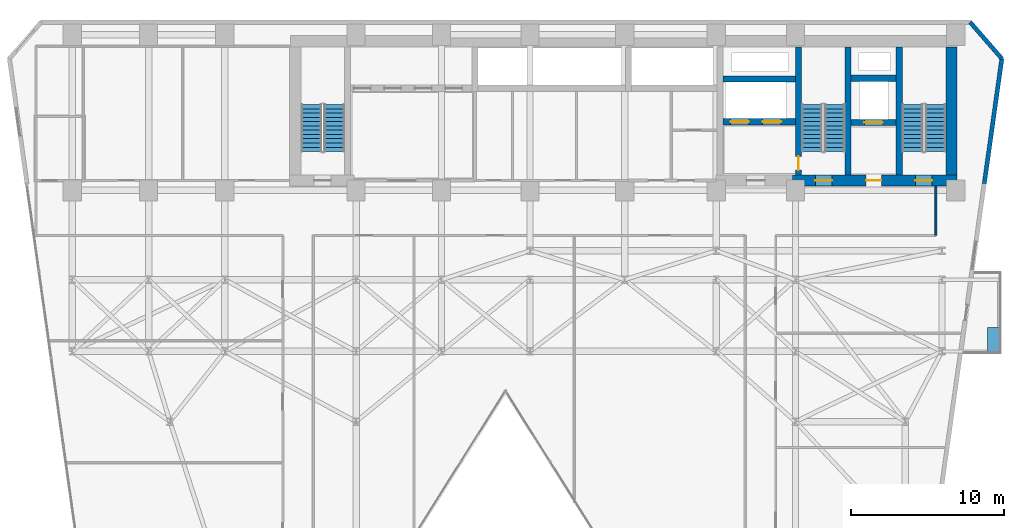
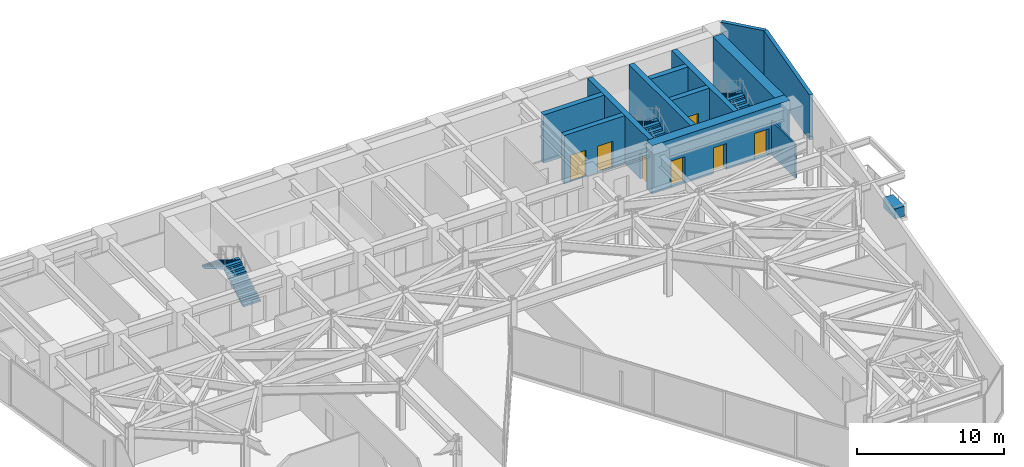
# One storey, part 21 of 24: 12 walls, 7 doors, 6 stair flights, 1 discrete accessory, 7 openings, 3 elements without a shape of their own.
"""IFC4 building model written with IfcOpenShell, lengths in metres."""

from ifc_helpers import new_model, si_unit, direction, frame, frame_2d, origin, origin_2d, place, context, subcontext, project, spatial, polyline, rectangle, outline, extrude, material, layer, layer_set, type_object, element, fill, aggregate, save


model = new_model("IFC4")

# Units and contexts
model_context = context("Model", 3, precision=1e-05, world=origin(), true_north=direction((0.0, 1.0)))
body_context = subcontext(model_context, "Body", "Model", "MODEL_VIEW")
ifc_project = project(units=[si_unit("LENGTHUNIT", "METRE"), si_unit("AREAUNIT", "SQUARE_METRE"), si_unit("VOLUMEUNIT", "CUBIC_METRE"), si_unit("PLANEANGLEUNIT", "RADIAN"), si_unit("MASSUNIT", "GRAM", prefix="KILO")], contexts=[model_context])

# Site, building, storey
site_placement = place(None, origin())
site = spatial("IfcSite", under=ifc_project, at=site_placement, CompositionType="ELEMENT")
building_placement = place(site_placement, origin())
building = spatial("IfcBuilding", under=site, at=building_placement, Name="Kravanh Interchange Tower", CompositionType="ELEMENT")
storey_placement = place(building_placement, frame((0.0, 0.0, 77.5)))
storey = spatial("IfcBuildingStorey", under=building, at=storey_placement, Name="L18", CompositionType="ELEMENT", Elevation=77.5)

# Walls
ifc_material_1 = material(Name="Double Acoustic Gypsum Board and Mineral Wool")
ifc_layer_1 = layer(ifc_material_1, 0.1201171875)
ifc_layer_set_1 = layer_set([ifc_layer_1], Name="Acoustic Office Drywall Partition 120mm")
wall_type_1 = type_object("IfcWallType", Name="Acoustic Office Drywall Partition 120mm", PredefinedType="PARTITIONING", material=ifc_layer_set_1)
wall_1_placement = place(storey_placement, frame((65.199951171875, 34.39990234375, 0.0), z_axis=(0.0, 0.0, 1.0), x_axis=(0.0, 1.0, 0.0)))
element("IfcWall", 1, at=wall_1_placement, inside=storey, type_object=wall_type_1, Name="L18 Interior Partition 19", PredefinedType="PARTITIONING", context=body_context, shape_type="SweptSolid", body=[
    extrude(rectangle(XDim=3.217041015625, YDim=0.1201171875, at=frame_2d((1.6083984375, 0.0))), origin(), (0.0, 0.0, 1.0), 2.81298828125),
])
ifc_material_2 = material(Name="Concrete C80/95", Category="concrete")
ifc_layer_2 = layer(ifc_material_2, 0.39990234375)
ifc_layer_set_2 = layer_set([ifc_layer_2], Name="Core Shear Wall Concrete C80/95 400mm")
wall_type_2 = type_object("IfcWallType", Name="Core Shear Wall Concrete C80/95 400mm", PredefinedType="SHEAR", material=ifc_layer_set_2)
for number, where, z_axis, x_axis, name in (
    (2, (62.800048828125, 38.375, 0.0), (0.0, 0.0, 1.0), (0.0, 1.0, 0.0), "L18 Stair ST1 West Shear Wall"),
    (3, (59.449951171875, 38.375, 0.0), (0.0, 0.0, 1.0), (0.0, 1.0, 0.0), "L18 Stair ST2 East Shear Wall"),
):
    element("IfcWall", number, at=place(storey_placement, frame(where, z_axis=z_axis, x_axis=x_axis)), inside=storey, type_object=wall_type_2, Name=name, PredefinedType="SHEAR", context=body_context, shape_type="SweptSolid", body=[
        extrude(rectangle(XDim=8.375, YDim=0.39990234375, at=frame_2d((4.1875, 0.0))), origin(), (0.0, 0.0, 1.0), 4.0),
    ])

# Wall, opening, door
wall_2_placement = place(storey_placement, frame((56.199951171875, 38.375, 0.0), z_axis=(0.0, 0.0, 1.0), x_axis=(0.0, 1.0, 0.0)))
wall_2 = element("IfcWall", 4, at=wall_2_placement, inside=storey, type_object=wall_type_2, Name="L18 Stair ST2 West Shear Wall", PredefinedType="SHEAR", context=body_context, shape_type="SweptSolid", body=[
    extrude(rectangle(XDim=8.375, YDim=0.39990234375, at=frame_2d((4.1875, 0.0))), origin(), (0.0, 0.0, 1.0), 4.0),
])
opening_1_placement = place(wall_2_placement, frame((0.304931640625, 0.0, 0.0)))
opening_1 = element("IfcOpeningElement", 5, at=opening_1_placement, cuts=wall_2, Name="Opening D-STAIR-90", PredefinedType="OPENING", context=body_context, shape_type="SweptSolid", body=[
    extrude(rectangle(XDim=0.89990234375, YDim=2.14990234375, at=frame_2d((0.449951171875, 1.074951171875))), frame((0.0, 0.2099609375, 0.0), z_axis=(0.0, -1.0, 0.0), x_axis=(1.0, 0.0, 0.0)), (0.0, 0.0, 1.0), 0.419921875),
])
ifc_material_3 = material(Name="Structural Steel S355", Category="steel")
door_type_1 = type_object("IfcDoorType", Name="Fire-Rated Stair Lobby Door 900x2150", OperationType="NOTDEFINED", PredefinedType="DOOR", material=ifc_material_3)
door_1_placement = place(opening_1_placement, origin())
door_1 = element("IfcDoor", 6, at=door_1_placement, inside=storey, type_object=door_type_1, Name="L18 Firefighting Lobby to Stair ST2 Door", OperationType="SINGLE_SWING_LEFT", OverallHeight=2.14990234375, OverallWidth=0.89990234375, PredefinedType="DOOR", context=body_context, shape_type="SweptSolid", body=[
    extrude(rectangle(XDim=0.89990234375, YDim=2.14990234375, at=frame_2d((0.449951171875, 1.074951171875))), frame((0.0, 0.02490234375, 0.0), z_axis=(0.0, -1.0, 0.0), x_axis=(1.0, 0.0, 0.0)), (0.0, 0.0, 1.0), 0.050048828125),
])
fill(opening_1, door_1)

wall_3_placement = place(storey_placement, frame((59.64990234375, 41.800048828125, 0.0), z_axis=(0.0, 0.0, 1.0), x_axis=(1.0, 0.0, 0.0)))
wall_3 = element("IfcWall", 7, at=wall_3_placement, inside=storey, type_object=wall_type_2, Name="L18 Service Lift Shaft South Wall", PredefinedType="SHEAR", context=body_context, shape_type="SweptSolid", body=[
    extrude(rectangle(XDim=2.9501953125, YDim=0.39990234375, at=frame_2d((1.47509765625, 0.0))), origin(), (0.0, 0.0, 1.0), 4.0),
])
opening_2_placement = place(wall_3_placement, frame((0.8701171875, 0.0, 0.0)))
opening_2 = element("IfcOpeningElement", 8, at=opening_2_placement, cuts=wall_3, Name="Opening LD02", PredefinedType="OPENING", context=body_context, shape_type="SweptSolid", body=[
    extrude(rectangle(XDim=1.199951171875, YDim=2.199951171875, at=frame_2d((0.60009765625, 1.10009765625))), frame((0.0, 0.2099609375, 0.0), z_axis=(0.0, -1.0, 0.0), x_axis=(1.0, 0.0, 0.0)), (0.0, 0.0, 1.0), 0.419921875),
])
ifc_material_4 = material(Name="Stainless Steel 316", Category="steel")
door_type_2 = type_object("IfcDoorType", Name="Fire and Service Lift Sliding Landing Door 1200x2200", OperationType="DOUBLE_DOOR_SLIDING", PredefinedType="DOOR", material=ifc_material_4)
door_2_placement = place(opening_2_placement, origin())
door_2 = element("IfcDoor", 9, at=door_2_placement, inside=storey, type_object=door_type_2, Name="L18 Lift LS-01 Landing Door", OperationType="DOUBLE_DOOR_SLIDING", OverallHeight=2.199951171875, OverallWidth=1.199951171875, PredefinedType="DOOR", context=body_context, shape_type="SweptSolid", body=[
    extrude(rectangle(XDim=1.199951171875, YDim=2.199951171875, at=frame_2d((0.60009765625, 1.10009765625))), frame((0.0, 0.02490234375, 0.0), z_axis=(0.0, -1.0, 0.0), x_axis=(1.0, 0.0, 0.0)), (0.0, 0.0, 1.0), 0.050048828125),
])
fill(opening_2, door_2)

# Wall
wall_4_placement = place(storey_placement, frame((59.64990234375, 44.699951171875, 0.0), z_axis=(0.0, 0.0, 1.0), x_axis=(1.0, 0.0, 0.0)))
element("IfcWall", 10, at=wall_4_placement, inside=storey, type_object=wall_type_2, Name="L18 Service Lift Shaft North Wall", PredefinedType="SHEAR", context=body_context, shape_type="SweptSolid", body=[
    extrude(rectangle(XDim=2.9501953125, YDim=0.39990234375, at=frame_2d((1.47509765625, 0.0))), origin(), (0.0, 0.0, 1.0), 4.0),
])

# Wall, openings, doors
wall_5_placement = place(storey_placement, frame((51.25, 41.85009765625, 0.0), z_axis=(0.0, 0.0, 1.0), x_axis=(1.0, 0.0, 0.0)))
wall_5 = element("IfcWall", 11, at=wall_5_placement, inside=storey, type_object=wall_type_2, Name="L18 Fire Lift Shaft South Wall", PredefinedType="SHEAR", context=body_context, shape_type="SweptSolid", body=[
    extrude(rectangle(XDim=4.75, YDim=0.39990234375, at=frame_2d((2.375, 0.0))), origin(), (0.0, 0.0, 1.0), 4.0),
])
opening_3_placement = place(wall_5_placement, frame((0.5, 0.0, 0.0)))
opening_3 = element("IfcOpeningElement", 12, at=opening_3_placement, cuts=wall_5, Name="Opening LD02", PredefinedType="OPENING", context=body_context, shape_type="SweptSolid", body=[
    extrude(rectangle(XDim=1.199951171875, YDim=2.199951171875, at=frame_2d((0.60009765625, 1.10009765625))), frame((0.0, 0.2099609375, 0.0), z_axis=(0.0, -1.0, 0.0), x_axis=(1.0, 0.0, 0.0)), (0.0, 0.0, 1.0), 0.419921875),
])
opening_4_placement = place(wall_5_placement, frame((2.60009765625, 0.0, 0.0)))
opening_4 = element("IfcOpeningElement", 13, at=opening_4_placement, cuts=wall_5, Name="Opening LD02", PredefinedType="OPENING", context=body_context, shape_type="SweptSolid", body=[
    extrude(rectangle(XDim=1.199951171875, YDim=2.199951171875, at=frame_2d((0.60009765625, 1.10009765625))), frame((0.0, 0.2099609375, 0.0), z_axis=(0.0, -1.0, 0.0), x_axis=(1.0, 0.0, 0.0)), (0.0, 0.0, 1.0), 0.419921875),
])
door_3_placement = place(opening_3_placement, origin())
door_3 = element("IfcDoor", 14, at=door_3_placement, inside=storey, type_object=door_type_2, Name="L18 Lift FSAE-01 Landing Door", OperationType="DOUBLE_DOOR_SLIDING", OverallHeight=2.199951171875, OverallWidth=1.199951171875, PredefinedType="DOOR", context=body_context, shape_type="SweptSolid", body=[
    extrude(rectangle(XDim=1.199951171875, YDim=2.199951171875, at=frame_2d((0.60009765625, 1.10009765625))), frame((0.0, 0.02490234375, 0.0), z_axis=(0.0, -1.0, 0.0), x_axis=(1.0, 0.0, 0.0)), (0.0, 0.0, 1.0), 0.050048828125),
])
fill(opening_3, door_3)
door_4_placement = place(opening_4_placement, origin())
door_4 = element("IfcDoor", 15, at=door_4_placement, inside=storey, type_object=door_type_2, Name="L18 Lift FSAE-02 Landing Door", OperationType="DOUBLE_DOOR_SLIDING", OverallHeight=2.199951171875, OverallWidth=1.199951171875, PredefinedType="DOOR", context=body_context, shape_type="SweptSolid", body=[
    extrude(rectangle(XDim=1.199951171875, YDim=2.199951171875, at=frame_2d((0.60009765625, 1.10009765625))), frame((0.0, 0.02490234375, 0.0), z_axis=(0.0, -1.0, 0.0), x_axis=(1.0, 0.0, 0.0)), (0.0, 0.0, 1.0), 0.050048828125),
])
fill(opening_4, door_4)

# Wall
wall_6_placement = place(storey_placement, frame((51.25, 44.64990234375, 0.0), z_axis=(0.0, 0.0, 1.0), x_axis=(1.0, 0.0, 0.0)))
element("IfcWall", 16, at=wall_6_placement, inside=storey, type_object=wall_type_2, Name="L18 Fire Lift Shaft North Wall", PredefinedType="SHEAR", context=body_context, shape_type="SweptSolid", body=[
    extrude(rectangle(XDim=4.75, YDim=0.39990234375, at=frame_2d((2.375, 0.0))), origin(), (0.0, 0.0, 1.0), 4.0),
])

# Wall, openings, doors
ifc_material_5 = material(Name="Concrete C80/95", Category="concrete")
ifc_layer_3 = layer(ifc_material_5, 0.75)
ifc_layer_set_3 = layer_set([ifc_layer_3], Name="Core Shear Wall Concrete C80/95 750mm")
wall_type_3 = type_object("IfcWallType", Name="Core Shear Wall Concrete C80/95 750mm", PredefinedType="SHEAR", material=ifc_layer_set_3)
wall_7_placement = place(storey_placement, frame((55.800048828125, 38.0, 0.0), z_axis=(0.0, 0.0, 1.0), x_axis=(1.0, 0.0, 0.0)))
wall_7 = element("IfcWall", 17, at=wall_7_placement, inside=storey, type_object=wall_type_3, Name="L18 East Core South Shear Wall", PredefinedType="SHEAR", context=body_context, shape_type="SweptSolid", body=[
    extrude(rectangle(XDim=10.800048828125, YDim=0.75, at=frame_2d((5.39990234375, 0.0))), origin(), (0.0, 0.0, 1.0), 4.0),
])
opening_5_placement = place(wall_7_placement, frame((1.5, 0.0, 0.0)))
opening_5 = element("IfcOpeningElement", 18, at=opening_5_placement, cuts=wall_7, Name="Opening D-STAIR-110", PredefinedType="OPENING", context=body_context, shape_type="SweptSolid", body=[
    extrude(rectangle(XDim=1.10009765625, YDim=2.199951171875, at=frame_2d((0.550048828125, 1.10009765625))), frame((0.0, 0.385009765625, 0.0), z_axis=(0.0, -1.0, 0.0), x_axis=(1.0, 0.0, 0.0)), (0.0, 0.0, 1.0), 0.77001953125),
])
opening_6_placement = place(wall_7_placement, frame((4.820068359375, 0.0, 0.0)))
opening_6 = element("IfcOpeningElement", 19, at=opening_6_placement, cuts=wall_7, Name="Opening D-HOTEL-100", PredefinedType="OPENING", context=body_context, shape_type="SweptSolid", body=[
    extrude(rectangle(XDim=1.0, YDim=2.14990234375, at=frame_2d((0.5, 1.074951171875))), frame((0.0, 0.385009765625, 0.0), z_axis=(0.0, -1.0, 0.0), x_axis=(1.0, 0.0, 0.0)), (0.0, 0.0, 1.0), 0.77001953125),
])
opening_7_placement = place(wall_7_placement, frame((8.050048828125, 0.0, 0.0)))
opening_7 = element("IfcOpeningElement", 20, at=opening_7_placement, cuts=wall_7, Name="Opening D-STAIR-110", PredefinedType="OPENING", context=body_context, shape_type="SweptSolid", body=[
    extrude(rectangle(XDim=1.10009765625, YDim=2.199951171875, at=frame_2d((0.550048828125, 1.10009765625))), frame((0.0, 0.385009765625, 0.0), z_axis=(0.0, -1.0, 0.0), x_axis=(1.0, 0.0, 0.0)), (0.0, 0.0, 1.0), 0.77001953125),
])
ifc_material_6 = material(Name="Structural Steel S355", Category="steel")
door_type_3 = type_object("IfcDoorType", Name="Fire-Rated Exit Stair Door 1100x2200", OperationType="NOTDEFINED", PredefinedType="DOOR", material=ifc_material_6)
door_5_placement = place(opening_5_placement, origin())
door_5 = element("IfcDoor", 21, at=door_5_placement, inside=storey, type_object=door_type_3, Name="L18 Exit Stair ST2 Door", OperationType="SINGLE_SWING_RIGHT", OverallHeight=2.199951171875, OverallWidth=1.10009765625, PredefinedType="DOOR", context=body_context, shape_type="SweptSolid", body=[
    extrude(rectangle(XDim=1.10009765625, YDim=2.199951171875, at=frame_2d((0.550048828125, 1.10009765625))), frame((0.0, 0.02490234375, 0.0), z_axis=(0.0, -1.0, 0.0), x_axis=(1.0, 0.0, 0.0)), (0.0, 0.0, 1.0), 0.050048828125),
])
fill(opening_5, door_5)
door_6_placement = place(opening_7_placement, origin())
door_6 = element("IfcDoor", 22, at=door_6_placement, inside=storey, type_object=door_type_3, Name="L18 Exit Stair ST1 Door", OperationType="SINGLE_SWING_RIGHT", OverallHeight=2.199951171875, OverallWidth=1.10009765625, PredefinedType="DOOR", context=body_context, shape_type="SweptSolid", body=[
    extrude(rectangle(XDim=1.10009765625, YDim=2.199951171875, at=frame_2d((0.550048828125, 1.10009765625))), frame((0.0, 0.02490234375, 0.0), z_axis=(0.0, -1.0, 0.0), x_axis=(1.0, 0.0, 0.0)), (0.0, 0.0, 1.0), 0.050048828125),
])
fill(opening_7, door_6)
ifc_material_7 = material(Name="Fire-Rated Solid Timber Leaf", Category="wood")
door_type_4 = type_object("IfcDoorType", Name="Fire-Rated Suite Entrance Door 1000x2150", OperationType="NOTDEFINED", PredefinedType="DOOR", material=ifc_material_7)
door_7_placement = place(opening_6_placement, origin())
door_7 = element("IfcDoor", 23, at=door_7_placement, inside=storey, type_object=door_type_4, Name="L18 Service Lift Lobby Door", OperationType="SINGLE_SWING_RIGHT", OverallHeight=2.14990234375, OverallWidth=1.0, PredefinedType="DOOR", context=body_context, shape_type="SweptSolid", body=[
    extrude(rectangle(XDim=1.0, YDim=2.14990234375, at=frame_2d((0.5, 1.074951171875))), frame((0.0, 0.02490234375, 0.0), z_axis=(0.0, -1.0, 0.0), x_axis=(1.0, 0.0, 0.0)), (0.0, 0.0, 1.0), 0.050048828125),
])
fill(opening_6, door_7)

# Walls
wall_8_placement = place(storey_placement, frame((66.22509765625, 38.375, 0.0), z_axis=(0.0, 0.0, 1.0), x_axis=(0.0, 1.0, 0.0)))
element("IfcWall", 24, at=wall_8_placement, inside=storey, type_object=wall_type_3, Name="L18 Stair ST1 East Shear Wall", PredefinedType="SHEAR", context=body_context, shape_type="SweptSolid", body=[
    extrude(rectangle(XDim=8.375, YDim=0.75, at=frame_2d((4.1875, 0.0))), origin(), (0.0, 0.0, 1.0), 4.0),
])
ifc_material_8 = material(Name="Insulated Precast Concrete C40/50 with Bronze Cladding", Category="concrete")
ifc_layer_4 = layer(ifc_material_8, 0.280029296875)
ifc_layer_set_4 = layer_set([ifc_layer_4], Name="Exterior Insulated Concrete C40/50 Bronze Spandrel Wall 280mm")
wall_type_4 = type_object("IfcWallType", Name="Exterior Insulated Concrete C40/50 Bronze Spandrel Wall 280mm", PredefinedType="STANDARD", material=ifc_layer_set_4)
wall_9_placement = place(storey_placement, frame((67.4453125, 48.3798828125, 0.0), z_axis=(0.0, 0.0, 1.0), x_axis=(0.656070053895, -0.754699996278, 0.0)))
element("IfcWall", 25, at=wall_9_placement, inside=storey, type_object=wall_type_4, Name="L18 Exterior Wall 4", PredefinedType="STANDARD", context=body_context, shape_type="SweptSolid", body=[
    extrude(rectangle(XDim=3.1708984375, YDim=0.280029296875, at=frame_2d((1.58544921875, 0.0))), origin(), (0.0, 0.0, 1.0), 3.739990234375),
])
wall_10_placement = place(storey_placement, frame((69.525634765625, 45.98681640625, 0.0), z_axis=(0.0, 0.0, 1.0), x_axis=(-0.139180172484, -0.990267074878, 0.0)))
element("IfcWall", 26, at=wall_10_placement, inside=storey, type_object=wall_type_4, Name="L18 Exterior Wall 5", PredefinedType="STANDARD", context=body_context, shape_type="SweptSolid", body=[
    extrude(rectangle(XDim=8.267333984375, YDim=0.280029296875, at=frame_2d((4.1337890625, 0.0))), origin(), (0.0, 0.0, 1.0), 3.739990234375),
])

# Stair, stair flights
ifc_material_9 = material(Name="Concrete C50/60", Category="concrete")
stair_type = type_object("IfcStairType", Name="Core Fire Exit Dogleg Stair Concrete C50/60", PredefinedType="HALF_TURN_STAIR", material=ifc_material_9)
stair_1_placement = place(storey_placement, origin())
stair_1 = element("IfcStair", 27, at=stair_1_placement, inside=storey, type_object=stair_type, Name="L18 Exit Stair ST1", PredefinedType="HALF_TURN_STAIR")
ifc_material_10 = material(Name="Precast Concrete C50/60", Category="concrete")
ifc_layer_5 = layer(ifc_material_10, 0.199951171875)
ifc_layer_set_5 = layer_set([ifc_layer_5], Name="Precast Concrete C50/60 Stair Flight 1350mm")
stair_flight_type = type_object("IfcStairFlightType", Name="Precast Concrete C50/60 Stair Flight 1350mm", PredefinedType="STRAIGHT", material=ifc_layer_set_5)
stair_flight_1_placement = place(storey_placement, frame((65.175048828125, 39.89990234375, 0.0), z_axis=(0.0, 0.0, 1.0), x_axis=(0.0, 1.0, 0.0)))
stair_flight_1 = element("IfcStairFlight", 28, at=stair_flight_1_placement, type_object=stair_flight_type, Name="ST1 flight 1", NumberOfRisers=12, NumberOfTreads=11, PredefinedType="STRAIGHT", RiserHeight=0.166666667, TreadLength=0.28, context=body_context, shape_type="SweptSolid", body=[
    extrude(outline(polyline([(0.0, 0.0), (0.0, 0.166748046875), (0.280029296875, 0.166748046875), (0.280029296875, 0.333251953125), (0.56005859375, 0.333251953125), (0.56005859375, 0.5), (0.840087890625, 0.5), (0.840087890625, 0.666748046875), (1.1201171875, 0.666748046875), (1.1201171875, 0.833251953125), (1.39990234375, 0.833251953125), (1.39990234375, 1.0), (1.679931640625, 1.0), (1.679931640625, 1.166748046875), (1.9599609375, 1.166748046875), (1.9599609375, 1.333251953125), (2.239990234375, 1.333251953125), (2.239990234375, 1.5), (2.52001953125, 1.5), (2.52001953125, 1.666748046875), (2.800048828125, 1.666748046875), (2.800048828125, 1.833251953125), (3.080078125, 1.833251953125), (3.080078125, 2.0), (3.080078125, 1.658935546875), (0.29296875, 0.0), (0.0, 0.0)])), frame((0.0, 0.675048828125, 0.0), z_axis=(0.0, -1.0, 0.0), x_axis=(1.0, 0.0, 0.0)), (0.0, 0.0, 1.0), 1.35009765625),
])
stair_flight_2_placement = place(storey_placement, frame((63.675048828125, 42.97998046875, 2.0), z_axis=(0.0, 0.0, 1.0), x_axis=(0.0, -1.0, 0.0)))
stair_flight_2 = element("IfcStairFlight", 29, at=stair_flight_2_placement, type_object=stair_flight_type, Name="ST1 flight 2", NumberOfRisers=12, NumberOfTreads=11, PredefinedType="STRAIGHT", RiserHeight=0.166666667, TreadLength=0.28, context=body_context, shape_type="SweptSolid", body=[
    extrude(outline(polyline([(0.0, 0.0), (0.0, 0.166748046875), (0.280029296875, 0.166748046875), (0.280029296875, 0.333251953125), (0.56005859375, 0.333251953125), (0.56005859375, 0.5), (0.840087890625, 0.5), (0.840087890625, 0.666748046875), (1.1201171875, 0.666748046875), (1.1201171875, 0.833251953125), (1.39990234375, 0.833251953125), (1.39990234375, 1.0), (1.679931640625, 1.0), (1.679931640625, 1.166748046875), (1.9599609375, 1.166748046875), (1.9599609375, 1.333251953125), (2.239990234375, 1.333251953125), (2.239990234375, 1.5), (2.52001953125, 1.5), (2.52001953125, 1.666748046875), (2.800048828125, 1.666748046875), (2.800048828125, 1.833251953125), (3.080078125, 1.833251953125), (3.080078125, 2.0), (3.080078125, 1.658935546875), (0.29296875, 0.0), (0.0, 0.0)])), frame((0.0, 0.675048828125, 0.0), z_axis=(0.0, -1.0, 0.0), x_axis=(1.0, 0.0, 0.0)), (0.0, 0.0, 1.0), 1.35009765625),
])
aggregate(stair_1, [stair_flight_1, stair_flight_2])

stair_2_placement = place(storey_placement, origin())
stair_2 = element("IfcStair", 30, at=stair_2_placement, inside=storey, type_object=stair_type, Name="L18 Exit Stair ST2", PredefinedType="HALF_TURN_STAIR")
stair_flight_3_placement = place(storey_placement, frame((58.574951171875, 39.89990234375, 0.0), z_axis=(0.0, 0.0, 1.0), x_axis=(0.0, 1.0, 0.0)))
stair_flight_3 = element("IfcStairFlight", 31, at=stair_flight_3_placement, type_object=stair_flight_type, Name="ST2 flight 1", NumberOfRisers=12, NumberOfTreads=11, PredefinedType="STRAIGHT", RiserHeight=0.166666667, TreadLength=0.28, context=body_context, shape_type="SweptSolid", body=[
    extrude(outline(polyline([(0.0, 0.0), (0.0, 0.166748046875), (0.280029296875, 0.166748046875), (0.280029296875, 0.333251953125), (0.56005859375, 0.333251953125), (0.56005859375, 0.5), (0.840087890625, 0.5), (0.840087890625, 0.666748046875), (1.1201171875, 0.666748046875), (1.1201171875, 0.833251953125), (1.39990234375, 0.833251953125), (1.39990234375, 1.0), (1.679931640625, 1.0), (1.679931640625, 1.166748046875), (1.9599609375, 1.166748046875), (1.9599609375, 1.333251953125), (2.239990234375, 1.333251953125), (2.239990234375, 1.5), (2.52001953125, 1.5), (2.52001953125, 1.666748046875), (2.800048828125, 1.666748046875), (2.800048828125, 1.833251953125), (3.080078125, 1.833251953125), (3.080078125, 2.0), (3.080078125, 1.658935546875), (0.29296875, 0.0), (0.0, 0.0)])), frame((0.0, 0.675048828125, 0.0), z_axis=(0.0, -1.0, 0.0), x_axis=(1.0, 0.0, 0.0)), (0.0, 0.0, 1.0), 1.35009765625),
])
stair_flight_4_placement = place(storey_placement, frame((57.074951171875, 42.97998046875, 2.0), z_axis=(0.0, 0.0, 1.0), x_axis=(0.0, -1.0, 0.0)))
stair_flight_4 = element("IfcStairFlight", 32, at=stair_flight_4_placement, type_object=stair_flight_type, Name="ST2 flight 2", NumberOfRisers=12, NumberOfTreads=11, PredefinedType="STRAIGHT", RiserHeight=0.166666667, TreadLength=0.28, context=body_context, shape_type="SweptSolid", body=[
    extrude(outline(polyline([(0.0, 0.0), (0.0, 0.166748046875), (0.280029296875, 0.166748046875), (0.280029296875, 0.333251953125), (0.56005859375, 0.333251953125), (0.56005859375, 0.5), (0.840087890625, 0.5), (0.840087890625, 0.666748046875), (1.1201171875, 0.666748046875), (1.1201171875, 0.833251953125), (1.39990234375, 0.833251953125), (1.39990234375, 1.0), (1.679931640625, 1.0), (1.679931640625, 1.166748046875), (1.9599609375, 1.166748046875), (1.9599609375, 1.333251953125), (2.239990234375, 1.333251953125), (2.239990234375, 1.5), (2.52001953125, 1.5), (2.52001953125, 1.666748046875), (2.800048828125, 1.666748046875), (2.800048828125, 1.833251953125), (3.080078125, 1.833251953125), (3.080078125, 2.0), (3.080078125, 1.658935546875), (0.29296875, 0.0), (0.0, 0.0)])), frame((0.0, 0.675048828125, 0.0), z_axis=(0.0, -1.0, 0.0), x_axis=(1.0, 0.0, 0.0)), (0.0, 0.0, 1.0), 1.35009765625),
])
aggregate(stair_2, [stair_flight_3, stair_flight_4])

stair_3_placement = place(storey_placement, origin())
stair_3 = element("IfcStair", 33, at=stair_3_placement, inside=storey, type_object=stair_type, Name="L18 Exit Stair ST3", PredefinedType="HALF_TURN_STAIR")
stair_flight_5_placement = place(storey_placement, frame((25.77490234375, 39.89990234375, 0.0), z_axis=(0.0, 0.0, 1.0), x_axis=(0.0, 1.0, 0.0)))
stair_flight_5 = element("IfcStairFlight", 34, at=stair_flight_5_placement, type_object=stair_flight_type, Name="ST3 flight 1", NumberOfRisers=12, NumberOfTreads=11, PredefinedType="STRAIGHT", RiserHeight=0.166666667, TreadLength=0.28, context=body_context, shape_type="SweptSolid", body=[
    extrude(outline(polyline([(0.0, 0.0), (0.0, 0.166748046875), (0.280029296875, 0.166748046875), (0.280029296875, 0.333251953125), (0.56005859375, 0.333251953125), (0.56005859375, 0.5), (0.840087890625, 0.5), (0.840087890625, 0.666748046875), (1.1201171875, 0.666748046875), (1.1201171875, 0.833251953125), (1.39990234375, 0.833251953125), (1.39990234375, 1.0), (1.679931640625, 1.0), (1.679931640625, 1.166748046875), (1.9599609375, 1.166748046875), (1.9599609375, 1.333251953125), (2.239990234375, 1.333251953125), (2.239990234375, 1.5), (2.52001953125, 1.5), (2.52001953125, 1.666748046875), (2.800048828125, 1.666748046875), (2.800048828125, 1.833251953125), (3.080078125, 1.833251953125), (3.080078125, 2.0), (3.080078125, 1.658935546875), (0.29296875, 0.0), (0.0, 0.0)])), frame((0.0, 0.675048828125, 0.0), z_axis=(0.0, -1.0, 0.0), x_axis=(1.0, 0.0, 0.0)), (0.0, 0.0, 1.0), 1.35009765625),
])
stair_flight_6_placement = place(storey_placement, frame((24.27490234375, 42.97998046875, 2.0), z_axis=(0.0, 0.0, 1.0), x_axis=(0.0, -1.0, 0.0)))
stair_flight_6 = element("IfcStairFlight", 35, at=stair_flight_6_placement, type_object=stair_flight_type, Name="ST3 flight 2", NumberOfRisers=12, NumberOfTreads=11, PredefinedType="STRAIGHT", RiserHeight=0.166666667, TreadLength=0.28, context=body_context, shape_type="SweptSolid", body=[
    extrude(outline(polyline([(0.0, 0.0), (0.0, 0.166748046875), (0.280029296875, 0.166748046875), (0.280029296875, 0.333251953125), (0.56005859375, 0.333251953125), (0.56005859375, 0.5), (0.840087890625, 0.5), (0.840087890625, 0.666748046875), (1.1201171875, 0.666748046875), (1.1201171875, 0.833251953125), (1.39990234375, 0.833251953125), (1.39990234375, 1.0), (1.679931640625, 1.0), (1.679931640625, 1.166748046875), (1.9599609375, 1.166748046875), (1.9599609375, 1.333251953125), (2.239990234375, 1.333251953125), (2.239990234375, 1.5), (2.52001953125, 1.5), (2.52001953125, 1.666748046875), (2.800048828125, 1.666748046875), (2.800048828125, 1.833251953125), (3.080078125, 1.833251953125), (3.080078125, 2.0), (3.080078125, 1.658935546875), (0.29296875, 0.0), (0.0, 0.0)])), frame((0.0, 0.675048828125, 0.0), z_axis=(0.0, -1.0, 0.0), x_axis=(1.0, 0.0, 0.0)), (0.0, 0.0, 1.0), 1.35009765625),
])
aggregate(stair_3, [stair_flight_5, stair_flight_6])

# Discrete accessory
ifc_material_11 = material(Name="Architectural GRC Concrete C40/50 with Root Barrier", Category="concrete")
discrete_accessory_type = type_object("IfcDiscreteAccessoryType", Name="Structural Balcony Tree Planter Box Concrete C40/50 1600x750x850", PredefinedType="USERDEFINED", material=ifc_material_11)
discrete_accessory_placement = place(storey_placement, frame((68.969970703125, 27.580078125, 0.0), z_axis=(0.0, 0.0, 1.0), x_axis=(1.0, 0.0, 0.0)))
element("IfcDiscreteAccessory", 36, at=discrete_accessory_placement, inside=storey, type_object=discrete_accessory_type, Name="L18 E Balcony TREE PLANTER", ObjectType="PLANTER", PredefinedType="USERDEFINED", context=body_context, shape_type="SweptSolid", body=[
    extrude(rectangle(XDim=0.75, YDim=1.60009765625, at=origin_2d()), origin(), (0.0, 0.0, 1.0), 0.85009765625),
])

save(model, "model.ifc")
